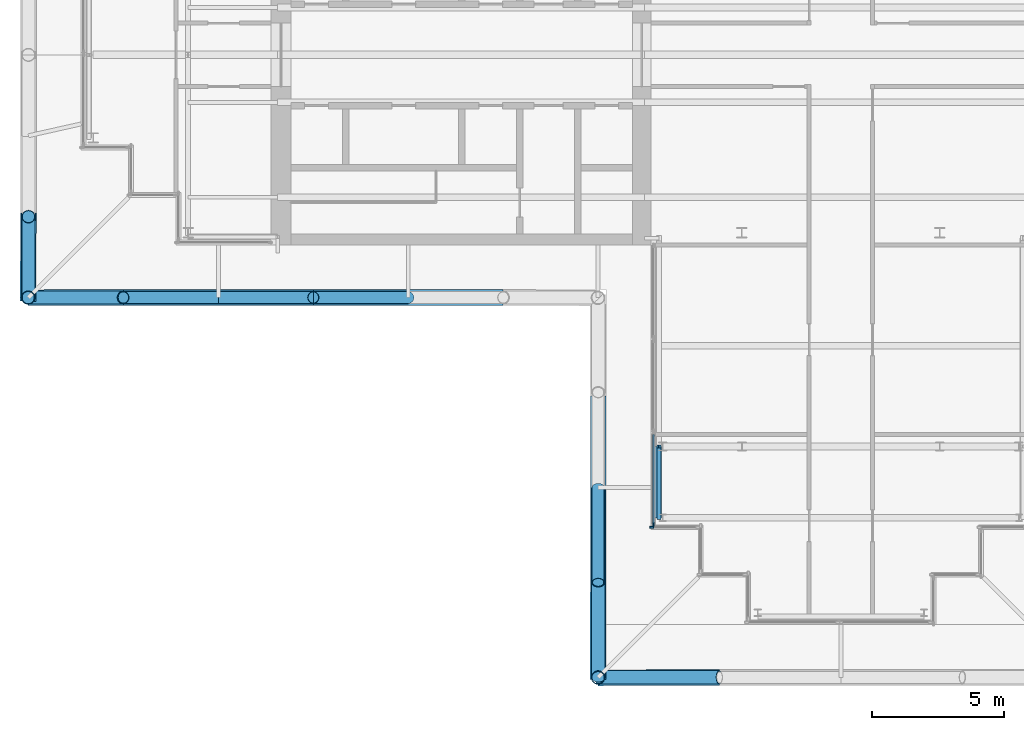
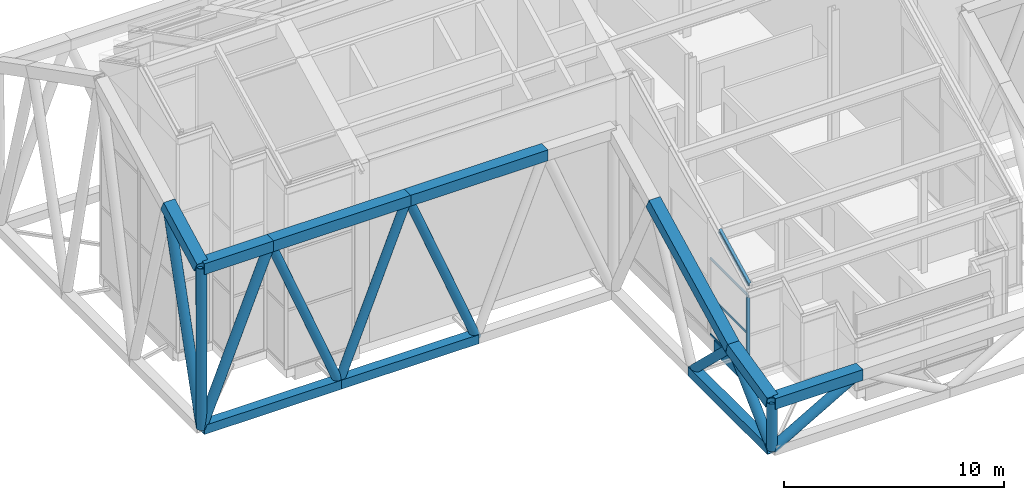
# One storey, part 4 of 25: 25 members, 2 beams, 2 elements without a shape of their own.
"""IFC4 building model written with IfcOpenShell, lengths in metres."""

from ifc_helpers import new_model, si_unit, direction, frame, origin, origin_2d, place, context, subcontext, project, spatial, rectangle, hollow_rectangle, hollow_circle, i_section, extrude, material, material_profile, profile_set, type_object, element, aggregate, save


model = new_model("IFC4")

# Units and contexts
model_context = context("Model", 3, precision=1e-05, world=origin(), true_north=direction((0.0, 1.0)))
body_context = subcontext(model_context, "Body", "Model", "MODEL_VIEW")
ifc_project = project(units=[si_unit("LENGTHUNIT", "METRE"), si_unit("AREAUNIT", "SQUARE_METRE"), si_unit("VOLUMEUNIT", "CUBIC_METRE"), si_unit("PLANEANGLEUNIT", "RADIAN"), si_unit("MASSUNIT", "GRAM", prefix="KILO")], contexts=[model_context])

# Site, building, storey
site_placement = place(None, origin())
site = spatial("IfcSite", under=ifc_project, at=site_placement, CompositionType="ELEMENT")
building_placement = place(site_placement, origin())
building = spatial("IfcBuilding", under=site, at=building_placement, Name="Fustian Cross Tower", CompositionType="ELEMENT")
storey_placement = place(building_placement, frame((0.0, 0.0, 247.5)))
storey = spatial("IfcBuildingStorey", under=building, at=storey_placement, Name="L77", CompositionType="ELEMENT", Elevation=247.5)

# Curtain wall, member
ifc_material_1 = material(Name="Glass", Category="glass")
curtain_wall_type = type_object("IfcCurtainWallType", Name="CW6 CURTAIN WALL", PredefinedType="NOTDEFINED", material=ifc_material_1)
curtain_wall_1_placement = place(storey_placement, origin())
curtain_wall_1 = element("IfcCurtainWall", 1, at=curtain_wall_1_placement, inside=storey, type_object=curtain_wall_type, Name="Curtain wall CW6", PredefinedType="NOTDEFINED")
ifc_material_2 = material(Name="Aluminium alloy 6063", Category="aluminium")
ifc_material_profile_1 = material_profile(ifc_material_2, rectangle(XDim=0.06005859375, YDim=0.159912109375, at=origin_2d()), Name="CW6 MULLION 60x160")
ifc_profile_set_1 = profile_set([ifc_material_profile_1], Name="Aluminium alloy 6063")
member_type_1 = type_object("IfcMemberType", Name="CW6 MULLION 60x160", PredefinedType="MULLION", material=ifc_profile_set_1)
member_1_placement = place(storey_placement, frame((-7.110107421875, -17.7900390625, 0.0), z_axis=(0.0, 0.0, 1.0), x_axis=(1.0, 0.0, 0.0)))
member_1 = element("IfcMember", 2, at=member_1_placement, type_object=member_type_1, Name="CW6 mullion 2", PredefinedType="MULLION", context=body_context, shape_type="SweptSolid", body=[
    extrude(rectangle(XDim=0.06005859375, YDim=0.159912109375, at=origin_2d()), origin(), (0.0, 0.0, 1.0), 4.27490234375),
])

curtain_wall_2_placement = place(storey_placement, origin())
curtain_wall_2 = element("IfcCurtainWall", 3, at=curtain_wall_2_placement, inside=storey, type_object=curtain_wall_type, Name="Curtain wall CW6", PredefinedType="NOTDEFINED")
member_2_placement = place(storey_placement, frame((-7.169921875, -17.909912109375, 0.0), z_axis=(0.0, 0.0, 1.0), x_axis=(0.0, 1.0, 0.0)))
member_2 = element("IfcMember", 4, at=member_2_placement, type_object=member_type_1, Name="CW6 mullion 1", PredefinedType="MULLION", context=body_context, shape_type="SweptSolid", body=[
    extrude(rectangle(XDim=0.06005859375, YDim=0.159912109375, at=origin_2d()), origin(), (0.0, 0.0, 1.0), 4.229248046875),
])
aggregate(curtain_wall_2, [member_2])

# Member
ifc_material_3 = material(Name="Aluminium alloy 6063", Category="aluminium")
ifc_material_profile_2 = material_profile(ifc_material_3, rectangle(XDim=0.06005859375, YDim=0.1201171875, at=origin_2d()), Name="CW6 TRANSOM 60x120")
ifc_profile_set_2 = profile_set([ifc_material_profile_2], Name="Aluminium alloy 6063")
member_type_2 = type_object("IfcMemberType", Name="CW6 TRANSOM 60x120", PredefinedType="USERDEFINED", material=ifc_profile_set_2)
member_3_placement = place(storey_placement, frame((-7.110107421875, -14.39990234375, 0.030029296875), z_axis=(0.0, -1.0, 0.0), x_axis=(1.0, 0.0, 0.0)))
member_3 = element("IfcMember", 5, at=member_3_placement, type_object=member_type_2, Name="CW6 transom 1.1", ObjectType="TRANSOM", PredefinedType="USERDEFINED", context=body_context, shape_type="SweptSolid", body=[
    extrude(rectangle(XDim=0.06005859375, YDim=0.1201171875, at=origin_2d()), origin(), (0.0, 0.0, 1.0), 3.360107421875),
])

member_4_placement = place(storey_placement, frame((-7.110107421875, -14.39990234375, 2.137451171875), z_axis=(0.0, -1.0, 0.0), x_axis=(1.0, 0.0, 0.0)))
member_4 = element("IfcMember", 6, at=member_4_placement, type_object=member_type_2, Name="CW6 transom 1.2", ObjectType="TRANSOM", PredefinedType="USERDEFINED", context=body_context, shape_type="SweptSolid", body=[
    extrude(rectangle(XDim=0.06005859375, YDim=0.1201171875, at=origin_2d()), origin(), (0.0, 0.0, 1.0), 3.360107421875),
])

member_5_placement = place(storey_placement, frame((-7.110107421875, -14.39990234375, 4.2451171875), z_axis=(0.0, -1.0, 0.0), x_axis=(1.0, 0.0, 0.0)))
member_5 = element("IfcMember", 7, at=member_5_placement, type_object=member_type_2, Name="CW6 transom 1.3", ObjectType="TRANSOM", PredefinedType="USERDEFINED", context=body_context, shape_type="SweptSolid", body=[
    extrude(rectangle(XDim=0.06005859375, YDim=0.1201171875, at=origin_2d()), origin(), (0.0, 0.0, 1.0), 3.360107421875),
])

aggregate(curtain_wall_1, [member_1, member_3, member_4, member_5])

# Members
ifc_material_4 = material(Name="Steel S355", Category="steel")
ifc_material_profile_3 = material_profile(ifc_material_4, hollow_circle(Radius=0.228515625, WallThickness=0.01611328125, at=origin_2d()), Name="CHS 457x16")
ifc_profile_set_3 = profile_set([ifc_material_profile_3], Name="Steel S355")
member_type_3 = type_object("IfcMemberType", Name="DIAGRID DIAGONAL CHS 457x16", PredefinedType="BRACE", material=ifc_profile_set_3)
for number, where, z_axis, x_axis, name in (
    (8, (-23.60009765625, -9.199951171875, 0.0), (-0.372632146332, 0.0, 0.927979139593), (0.0, -1.0, 0.0), "Diagrid diagonal W-S 02"),
    (9, (-23.60009765625, -9.199951171875, 0.0), (0.372653908684, 0.0, 0.927970400575), (0.0, 1.0, 0.0), "Diagrid diagonal W-S 03"),
    (10, (-16.39990234375, -9.199951171875, 0.0), (-0.372653908684, 0.0, 0.927970400575), (0.0, -1.0, 0.0), "Diagrid diagonal W-S 04"),
):
    element("IfcMember", number, at=place(storey_placement, frame(where, z_axis=z_axis, x_axis=x_axis)), inside=storey, type_object=member_type_3, Name=name, PredefinedType="BRACE", context=body_context, shape_type="SweptSolid", body=[
        extrude(hollow_circle(Radius=0.228515625, WallThickness=0.01611328125, at=origin_2d()), origin(), (0.0, 0.0, 1.0), 9.66064453125),
    ])
member_6_placement = place(storey_placement, frame((-9.199951171875, -16.39990234375, 0.0), z_axis=(0.0, -0.720511876136, 0.69344259773), x_axis=(1.0, 0.0, 0.0)))
element("IfcMember", 11, at=member_6_placement, inside=storey, type_object=member_type_3, Name="Diagrid diagonal S-W 03", PredefinedType="BRACE", context=body_context, shape_type="SweptSolid", body=[
    extrude(hollow_circle(Radius=0.228515625, WallThickness=0.01611328125, at=origin_2d()), origin(), (0.0, 0.0, 1.0), 4.99658203125),
])
ifc_material_5 = material(Name="Steel S355", Category="steel")
ifc_material_profile_4 = material_profile(ifc_material_5, hollow_circle(Radius=0.25390625, WallThickness=0.02001953125, at=origin_2d()), Name="CHS 508x20")
ifc_profile_set_4 = profile_set([ifc_material_profile_4], Name="Steel S355")
member_type_4 = type_object("IfcMemberType", Name="DIAGRID DIAGONAL CHS 508x20", PredefinedType="BRACE", material=ifc_profile_set_4)
member_7_placement = place(storey_placement, frame((-30.800048828125, -9.199951171875, 0.0), z_axis=(0.0, 0.279696441549, 0.96008848581), x_axis=(-1.0, 0.0, 0.0)))
element("IfcMember", 12, at=member_7_placement, inside=storey, type_object=member_type_4, Name="Diagrid diagonal W-end 06", PredefinedType="BRACE", context=body_context, shape_type="SweptSolid", body=[
    extrude(hollow_circle(Radius=0.25390625, WallThickness=0.02001953125, at=origin_2d()), origin(), (0.0, 0.0, 1.0), 10.964111328125),
])
member_8_placement = place(storey_placement, frame((-30.800048828125, -9.199951171875, 0.0), z_axis=(-0.00212487216, -0.000653806818, 0.999997528724), x_axis=(0.294085848838, -0.955779008722, 0.0)))
element("IfcMember", 13, at=member_8_placement, inside=storey, type_object=member_type_4, Name="Diagrid diagonal W-end 07", PredefinedType="BRACE", context=body_context, shape_type="SweptSolid", body=[
    extrude(hollow_circle(Radius=0.25390625, WallThickness=0.02001953125, at=origin_2d()), origin(), (0.0, 0.0, 1.0), 8.9619140625),
])
member_9_placement = place(storey_placement, frame((-30.800048828125, -9.199951171875, 0.0), z_axis=(0.372653908684, 0.0, 0.927970400575), x_axis=(0.0, 1.0, 0.0)))
element("IfcMember", 14, at=member_9_placement, inside=storey, type_object=member_type_4, Name="Diagrid diagonal W-S 01", PredefinedType="BRACE", context=body_context, shape_type="SweptSolid", body=[
    extrude(hollow_circle(Radius=0.25390625, WallThickness=0.02001953125, at=origin_2d()), origin(), (0.0, 0.0, 1.0), 9.66064453125),
])
member_10_placement = place(storey_placement, frame((-9.199951171875, -23.60009765625, 0.0), z_axis=(0.0, 0.720511876136, 0.69344259773), x_axis=(-1.0, 0.0, 0.0)))
element("IfcMember", 15, at=member_10_placement, inside=storey, type_object=member_type_4, Name="Diagrid diagonal S-W 04", PredefinedType="BRACE", context=body_context, shape_type="SweptSolid", body=[
    extrude(hollow_circle(Radius=0.25390625, WallThickness=0.02001953125, at=origin_2d()), origin(), (0.0, 0.0, 1.0), 4.99658203125),
])
member_11_placement = place(storey_placement, frame((-9.199951171875, -23.60009765625, 0.0), z_axis=(-0.002763879677, -0.007001828516, 0.999971667282), x_axis=(0.930155221331, -0.367166534736, 0.0)))
element("IfcMember", 16, at=member_11_placement, inside=storey, type_object=member_type_4, Name="Diagrid diagonal S-W 05", PredefinedType="BRACE", context=body_context, shape_type="SweptSolid", body=[
    extrude(hollow_circle(Radius=0.25390625, WallThickness=0.02001953125, at=origin_2d()), origin(), (0.0, 0.0, 1.0), 2.64990234375),
])
member_12_placement = place(storey_placement, frame((-9.199951171875, -23.60009765625, 0.0), z_axis=(0.866500097073, 0.0, 0.499176904285), x_axis=(0.0, 1.0, 0.0)))
element("IfcMember", 17, at=member_12_placement, inside=storey, type_object=member_type_4, Name="Diagrid diagonal S-end 01", PredefinedType="BRACE", context=body_context, shape_type="SweptSolid", body=[
    extrude(hollow_circle(Radius=0.25390625, WallThickness=0.02001953125, at=origin_2d()), origin(), (0.0, 0.0, 1.0), 5.30859375),
])
ifc_material_6 = material(Name="Steel S355", Category="steel")
ifc_material_profile_5 = material_profile(ifc_material_6, hollow_rectangle(XDim=0.5, YDim=0.5, WallThickness=0.02490234375, at=origin_2d()), Name="RHS 500x500x25")
ifc_profile_set_5 = profile_set([ifc_material_profile_5], Name="Steel S355")
member_type_5 = type_object("IfcMemberType", Name="DIAGRID RING RHS 500x500x25", PredefinedType="MEMBER", material=ifc_profile_set_5)
member_13_placement = place(storey_placement, frame((-30.800048828125, -9.199951171875, 0.0), z_axis=(1.0, 0.0, 0.0), x_axis=(0.0, 1.0, 0.0)))
element("IfcMember", 18, at=member_13_placement, inside=storey, type_object=member_type_5, Name="Diagrid ring L77-17 L77-18", PredefinedType="MEMBER", context=body_context, shape_type="SweptSolid", body=[
    extrude(hollow_rectangle(XDim=0.5, YDim=0.5, WallThickness=0.02490234375, at=origin_2d()), origin(), (0.0, 0.0, 1.0), 7.199951171875),
])
for number, where, z_axis, x_axis, name in (
    (19, (-23.60009765625, -9.199951171875, 0.0), (1.0, 0.0, 0.0), (0.0, 1.0, 0.0), "Diagrid ring L77-18 L77-19"),
    (20, (-9.199951171875, -16.39990234375, 0.0), (0.0, -1.0, 0.0), (1.0, 0.0, 0.0), "Diagrid ring L77-21 L77-22"),
):
    element("IfcMember", number, at=place(storey_placement, frame(where, z_axis=z_axis, x_axis=x_axis)), inside=storey, type_object=member_type_5, Name=name, PredefinedType="MEMBER", context=body_context, shape_type="SweptSolid", body=[
        extrude(hollow_rectangle(XDim=0.5, YDim=0.5, WallThickness=0.02490234375, at=origin_2d()), origin(), (0.0, 0.0, 1.0), 7.2001953125),
    ])
ifc_material_7 = material(Name="Steel S355", Category="steel")
ifc_material_profile_6 = material_profile(ifc_material_7, hollow_rectangle(XDim=0.60009765625, YDim=0.60009765625, WallThickness=0.030029296875, at=origin_2d()), Name="RHS 600x600x30")
ifc_profile_set_6 = profile_set([ifc_material_profile_6], Name="Steel S355")
member_type_6 = type_object("IfcMemberType", Name="DIAGRID RING RHS 600x600x30", PredefinedType="MEMBER", material=ifc_profile_set_6)
member_14_placement = place(storey_placement, frame((-30.800048828125, -6.13330078125, 10.526611328125), z_axis=(-0.005522844138, -0.891089659955, -0.453793693338), x_axis=(0.999980793853, -0.006197735552, 0.0)))
element("IfcMember", 21, at=member_14_placement, inside=storey, type_object=member_type_6, Name="Diagrid ring TOP-22 TOP-23", PredefinedType="MEMBER", context=body_context, shape_type="SweptSolid", body=[
    extrude(hollow_rectangle(XDim=0.60009765625, YDim=0.60009765625, WallThickness=0.030029296875, at=origin_2d()), origin(), (0.0, 0.0, 1.0), 3.447998046875),
])
member_15_placement = place(storey_placement, frame((-30.819091796875, -9.205810546875, 8.9619140625), z_axis=(0.999998361786, 0.00161899357, 0.000809496785), x_axis=(-0.001618994101, 0.999998689428, 0.0)))
element("IfcMember", 22, at=member_15_placement, inside=storey, type_object=member_type_6, Name="Diagrid ring TOP-23 TOP-24", PredefinedType="MEMBER", context=body_context, shape_type="SweptSolid", body=[
    extrude(hollow_rectangle(XDim=0.60009765625, YDim=0.60009765625, WallThickness=0.030029296875, at=origin_2d()), origin(), (0.0, 0.0, 1.0), 3.619140625),
])
for number, where, z_axis, x_axis, name in (
    (23, (-27.199951171875, -9.199951171875, 8.96484375), (1.0, 0.0, 0.0), (0.0, 1.0, 0.0), "Diagrid ring TOP-24 TOP-25"),
    (24, (-20.0, -9.199951171875, 8.96484375), (1.0, 0.0, 0.0), (0.0, 1.0, 0.0), "Diagrid ring TOP-25 TOP-26"),
):
    element("IfcMember", number, at=place(storey_placement, frame(where, z_axis=z_axis, x_axis=x_axis)), inside=storey, type_object=member_type_6, Name=name, PredefinedType="MEMBER", context=body_context, shape_type="SweptSolid", body=[
        extrude(hollow_rectangle(XDim=0.60009765625, YDim=0.60009765625, WallThickness=0.030029296875, at=origin_2d()), origin(), (0.0, 0.0, 1.0), 7.199951171875),
    ])
member_16_placement = place(storey_placement, frame((-9.199951171875, -12.800048828125, 7.131591796875), z_axis=(0.0, -0.891097137309, -0.453812617586), x_axis=(1.0, 0.0, 0.0)))
element("IfcMember", 25, at=member_16_placement, inside=storey, type_object=member_type_6, Name="Diagrid ring TOP-28 TOP-29", PredefinedType="MEMBER", context=body_context, shape_type="SweptSolid", body=[
    extrude(hollow_rectangle(XDim=0.60009765625, YDim=0.60009765625, WallThickness=0.030029296875, at=origin_2d()), origin(), (0.0, 0.0, 1.0), 8.079833984375),
])
member_17_placement = place(storey_placement, frame((-9.199951171875, -20.0, 3.46484375), z_axis=(-0.001974561147, -0.975564843852, -0.219702836917), x_axis=(0.999997951681, -0.002024014205, 0.0)))
element("IfcMember", 26, at=member_17_placement, inside=storey, type_object=member_type_6, Name="Diagrid ring TOP-29 TOP-30", PredefinedType="MEMBER", context=body_context, shape_type="SweptSolid", body=[
    extrude(hollow_rectangle(XDim=0.60009765625, YDim=0.60009765625, WallThickness=0.030029296875, at=origin_2d()), origin(), (0.0, 0.0, 1.0), 3.709228515625),
])
member_18_placement = place(storey_placement, frame((-9.207275390625, -23.61865234375, 2.64990234375), z_axis=(0.999991890351, 0.004027310883, 0.0), x_axis=(-0.004027310883, 0.999991890351, 0.0)))
element("IfcMember", 27, at=member_18_placement, inside=storey, type_object=member_type_6, Name="Diagrid ring TOP-30 TOP-31", PredefinedType="MEMBER", context=body_context, shape_type="SweptSolid", body=[
    extrude(hollow_rectangle(XDim=0.60009765625, YDim=0.60009765625, WallThickness=0.030029296875, at=origin_2d()), origin(), (0.0, 0.0, 1.0), 4.607177734375),
])

# Beams
ifc_material_8 = material(Name="Concrete C50/60", Category="concrete")
ifc_material_profile_7 = material_profile(ifc_material_8, rectangle(XDim=0.39990234375, YDim=0.699951171875, at=origin_2d()), Name="RC 400x700")
ifc_profile_set_7 = profile_set([ifc_material_profile_7], Name="Concrete C50/60")
beam_type_1 = type_object("IfcBeamType", Name="EDGE BEAM RC 400x700 C50/60", PredefinedType="SPANDREL", material=ifc_profile_set_7)
beam_1_placement = place(storey_placement, frame((-7.0, -14.85009765625, -0.35009765625), z_axis=(0.0, -1.0, 0.0), x_axis=(1.0, 0.0, 0.0)))
element("IfcBeam", 28, at=beam_1_placement, inside=storey, type_object=beam_type_1, Name="EDGE BEAM L77-13", PredefinedType="SPANDREL", context=body_context, shape_type="SweptSolid", body=[
    extrude(rectangle(XDim=0.39990234375, YDim=0.699951171875, at=origin_2d()), origin(), (0.0, 0.0, 1.0), 2.699951171875),
])
ifc_material_9 = material(Name="Steel S355", Category="steel")
ifc_material_profile_8 = material_profile(ifc_material_9, i_section(OverallWidth=0.14599609375, OverallDepth=0.25146484375, WebThickness=0.006103515625, FlangeThickness=0.008544921875, FilletRadius=0.007568359375, at=origin_2d()), Name="UB 254x146x31")
ifc_profile_set_8 = profile_set([ifc_material_profile_8], Name="Steel S355")
beam_type_2 = type_object("IfcBeamType", Name="ROOF TRIMMER UB 254x146x31 S355", PredefinedType="BEAM", material=ifc_profile_set_8)
beam_2_placement = place(storey_placement, frame((-6.89990234375, -14.85009765625, 5.996337890625), z_axis=(0.0, -0.891099136061, -0.453808692856), x_axis=(1.0, 0.0, 0.0)))
element("IfcBeam", 29, at=beam_2_placement, inside=storey, type_object=beam_type_2, Name="ROOF BEAM 022", PredefinedType="BEAM", context=body_context, shape_type="SweptSolid", body=[
    extrude(i_section(OverallWidth=0.14599609375, OverallDepth=0.25146484375, WebThickness=0.006103515625, FlangeThickness=0.008544921875, FilletRadius=0.007568359375, at=origin_2d()), origin(), (0.0, 0.0, 1.0), 3.030029296875),
])

save(model, "model.ifc")
